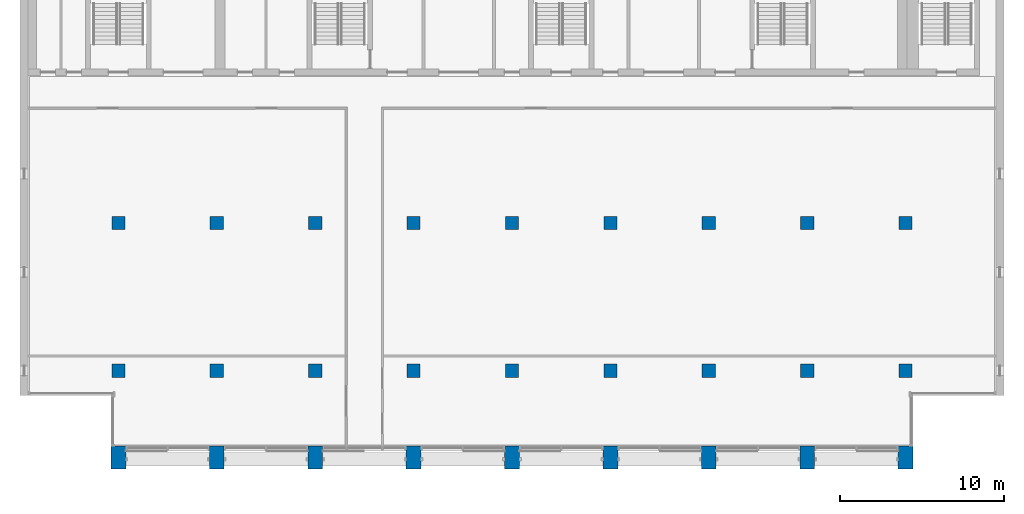
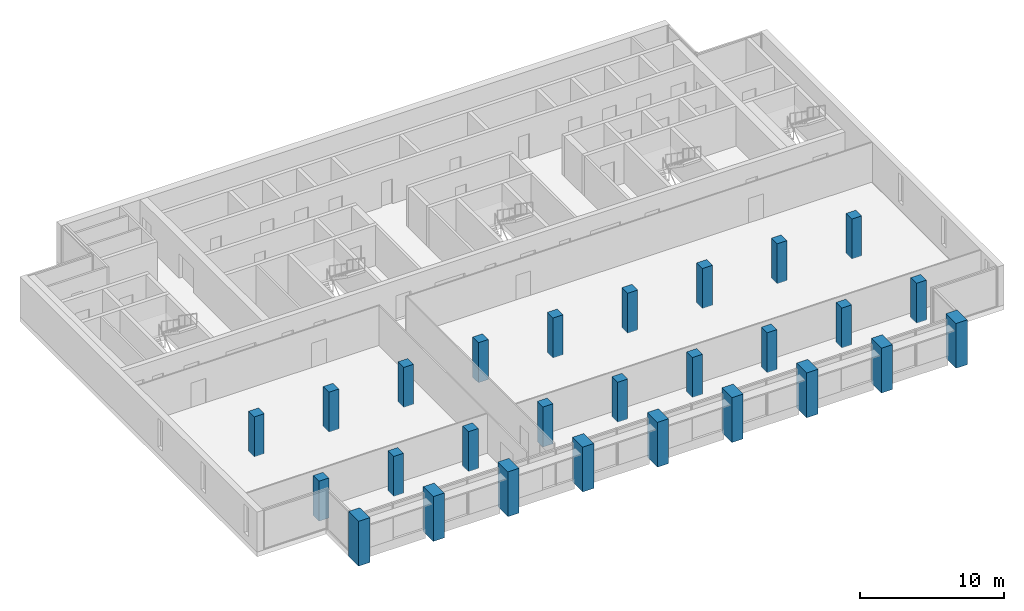
# One storey, part 1 of 14: 27 columns.
"""IFC4 building model written with IfcOpenShell, lengths in metres."""

from ifc_helpers import new_model, si_unit, direction, frame, origin, origin_2d, place, context, subcontext, project, spatial, rectangle, extrude, material, material_profile, profile_set, type_object, element, save


model = new_model("IFC4")

# Units and contexts
model_context = context("Model", 3, precision=1e-05, world=origin(), true_north=direction((0.0, 1.0)))
body_context = subcontext(model_context, "Body", "Model", "MODEL_VIEW")
ifc_project = project(units=[si_unit("LENGTHUNIT", "METRE"), si_unit("AREAUNIT", "SQUARE_METRE"), si_unit("VOLUMEUNIT", "CUBIC_METRE"), si_unit("PLANEANGLEUNIT", "RADIAN"), si_unit("MASSUNIT", "GRAM", prefix="KILO")], contexts=[model_context])

# Site, building, storey
site_placement = place(None, origin())
site = spatial("IfcSite", under=ifc_project, at=site_placement, CompositionType="ELEMENT")
building_placement = place(site_placement, origin())
building = spatial("IfcBuilding", under=site, at=building_placement, Name="Calvaro Tower", CompositionType="ELEMENT")
storey_placement = place(building_placement, frame((0.0, 0.0, 258.35009765625)))
storey = spatial("IfcBuildingStorey", under=building, at=storey_placement, Name="L65", CompositionType="ELEMENT", Elevation=258.35009765625)

# Columns
ifc_material_1 = material(Name="Concrete C40/50", Category="concrete")
ifc_material_profile_1 = material_profile(ifc_material_1, rectangle(XDim=0.800048828125, YDim=0.800048828125, at=origin_2d()), Name="RC 800x800")
ifc_profile_set_1 = profile_set([ifc_material_profile_1], Name="Concrete C40/50")
column_type_1 = type_object("IfcColumnType", Name="Column 800x800 C40/50", PredefinedType="COLUMN", material=ifc_profile_set_1)
for number, where, z_axis, x_axis, name in (
    (1, (12.0, 10.0, 0.0), (0.0, 0.0, 1.0), (1.0, 0.0, 0.0), "Column 3B"),
    (2, (12.0, 19.0, 0.0), (0.0, 0.0, 1.0), (1.0, 0.0, 0.0), "Column 3C"),
    (3, (18.0, 10.0, 0.0), (0.0, 0.0, 1.0), (1.0, 0.0, 0.0), "Column 4B"),
    (4, (18.0, 19.0, 0.0), (0.0, 0.0, 1.0), (1.0, 0.0, 0.0), "Column 4C"),
    (5, (24.0, 10.0, 0.0), (0.0, 0.0, 1.0), (1.0, 0.0, 0.0), "Column 5B"),
    (6, (24.0, 19.0, 0.0), (0.0, 0.0, 1.0), (1.0, 0.0, 0.0), "Column 5C"),
    (7, (30.0, 10.0, 0.0), (0.0, 0.0, 1.0), (1.0, 0.0, 0.0), "Column 6B"),
    (8, (30.0, 19.0, 0.0), (0.0, 0.0, 1.0), (1.0, 0.0, 0.0), "Column 6C"),
    (9, (36.0, 10.0, 0.0), (0.0, 0.0, 1.0), (1.0, 0.0, 0.0), "Column 7B"),
    (10, (36.0, 19.0, 0.0), (0.0, 0.0, 1.0), (1.0, 0.0, 0.0), "Column 7C"),
    (11, (42.0, 10.0, 0.0), (0.0, 0.0, 1.0), (1.0, 0.0, 0.0), "Column 8B"),
    (12, (42.0, 19.0, 0.0), (0.0, 0.0, 1.0), (1.0, 0.0, 0.0), "Column 8C"),
    (13, (48.0, 10.0, 0.0), (0.0, 0.0, 1.0), (1.0, 0.0, 0.0), "Column 9B"),
    (14, (48.0, 19.0, 0.0), (0.0, 0.0, 1.0), (1.0, 0.0, 0.0), "Column 9C"),
    (15, (54.0, 10.0, 0.0), (0.0, 0.0, 1.0), (1.0, 0.0, 0.0), "Column 10B"),
    (16, (54.0, 19.0, 0.0), (0.0, 0.0, 1.0), (1.0, 0.0, 0.0), "Column 10C"),
    (17, (60.0, 10.0, 0.0), (0.0, 0.0, 1.0), (1.0, 0.0, 0.0), "Column 11B"),
    (18, (60.0, 19.0, 0.0), (0.0, 0.0, 1.0), (1.0, 0.0, 0.0), "Column 11C"),
):
    element("IfcColumn", number, at=place(storey_placement, frame(where, z_axis=z_axis, x_axis=x_axis)), inside=storey, type_object=column_type_1, Name=name, PredefinedType="COLUMN", context=body_context, shape_type="SweptSolid", body=[
        extrude(rectangle(XDim=0.800048828125, YDim=0.800048828125, at=origin_2d()), origin(), (0.0, 0.0, 1.0), 3.39990234375),
    ])
ifc_material_2 = material(Name="Concrete C40/50", Category="concrete")
ifc_material_profile_2 = material_profile(ifc_material_2, rectangle(XDim=0.89990234375, YDim=1.39990234375, at=origin_2d()), Name="RC 900x1400")
ifc_profile_set_2 = profile_set([ifc_material_profile_2], Name="Concrete C40/50")
column_type_2 = type_object("IfcColumnType", Name="Pier 900x1400 C40/50", PredefinedType="COLUMN", material=ifc_profile_set_2)
for number, where, z_axis, x_axis, name in (
    (19, (12.0, 4.699951171875, -0.400146484375), (0.0, 0.0, 1.0), (1.0, 0.0, 0.0), "South pier 3"),
    (20, (18.0, 4.699951171875, -0.400146484375), (0.0, 0.0, 1.0), (1.0, 0.0, 0.0), "South pier 4"),
    (21, (24.0, 4.699951171875, -0.400146484375), (0.0, 0.0, 1.0), (1.0, 0.0, 0.0), "South pier 5"),
    (22, (30.0, 4.699951171875, -0.400146484375), (0.0, 0.0, 1.0), (1.0, 0.0, 0.0), "South pier 6"),
    (23, (36.0, 4.699951171875, -0.400146484375), (0.0, 0.0, 1.0), (1.0, 0.0, 0.0), "South pier 7"),
    (24, (42.0, 4.699951171875, -0.400146484375), (0.0, 0.0, 1.0), (1.0, 0.0, 0.0), "South pier 8"),
    (25, (48.0, 4.699951171875, -0.400146484375), (0.0, 0.0, 1.0), (1.0, 0.0, 0.0), "South pier 9"),
    (26, (54.0, 4.699951171875, -0.400146484375), (0.0, 0.0, 1.0), (1.0, 0.0, 0.0), "South pier 10"),
    (27, (60.0, 4.699951171875, -0.400146484375), (0.0, 0.0, 1.0), (1.0, 0.0, 0.0), "South pier 11"),
):
    element("IfcColumn", number, at=place(storey_placement, frame(where, z_axis=z_axis, x_axis=x_axis)), inside=storey, type_object=column_type_2, Name=name, PredefinedType="COLUMN", context=body_context, shape_type="SweptSolid", body=[
        extrude(rectangle(XDim=0.89990234375, YDim=1.39990234375, at=origin_2d()), origin(), (0.0, 0.0, 1.0), 3.800048828125),
    ])

save(model, "model.ifc")
